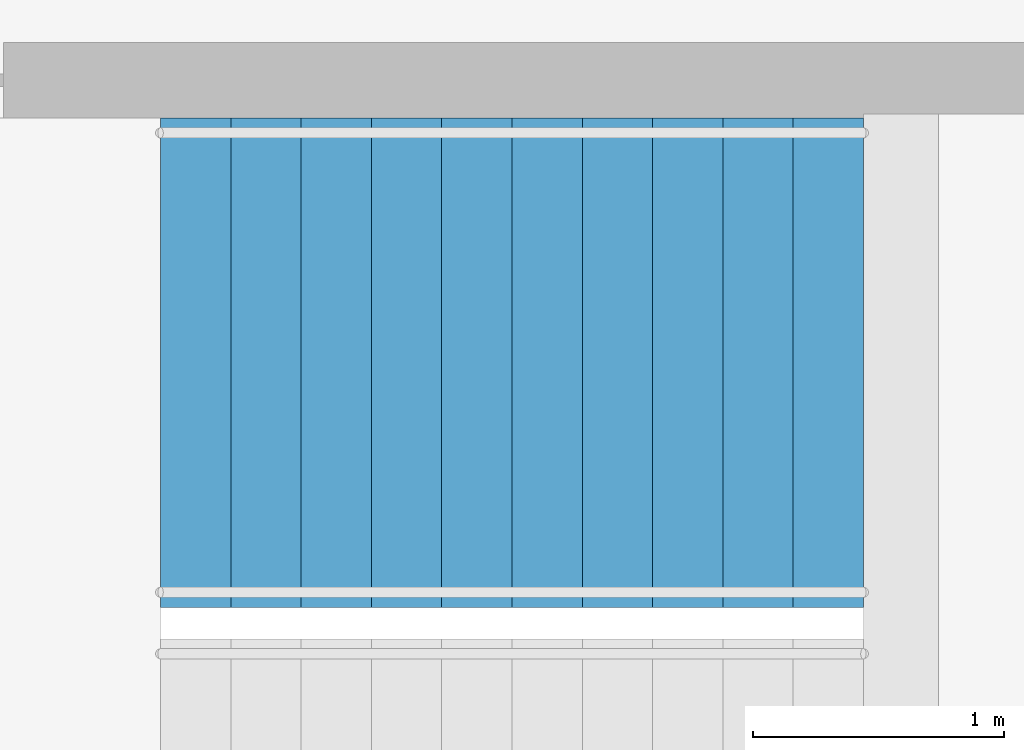
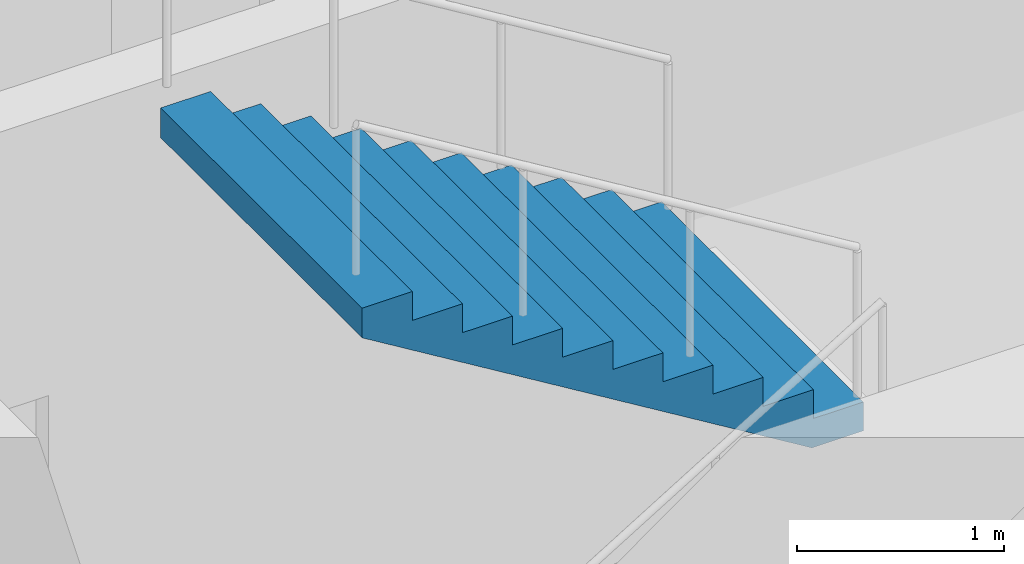
# One storey, part 19 of 22: 1 stair flight, 1 element without a shape of its own.
"""IFC4 building model written with IfcOpenShell, lengths in metres."""

from ifc_helpers import new_model, si_unit, direction, frame, origin, place, context, subcontext, project, spatial, triangles, material, type_object, element, aggregate, save


model = new_model("IFC4")

# Units and contexts
model_context = context("Model", 3, precision=1e-05, world=origin(), true_north=direction((0.0, 1.0)))
body_context = subcontext(model_context, "Body", "Model", "MODEL_VIEW")
ifc_project = project(units=[si_unit("LENGTHUNIT", "METRE"), si_unit("AREAUNIT", "SQUARE_METRE"), si_unit("VOLUMEUNIT", "CUBIC_METRE"), si_unit("PLANEANGLEUNIT", "RADIAN"), si_unit("MASSUNIT", "GRAM", prefix="KILO")], contexts=[model_context])

# Site, building, storey
site_placement = place(None, origin())
site = spatial("IfcSite", under=ifc_project, at=site_placement, CompositionType="ELEMENT")
building_placement = place(site_placement, origin())
building = spatial("IfcBuilding", under=site, at=building_placement, Name="Orbita Commons", CompositionType="ELEMENT")
storey_placement = place(building_placement, frame((0.0, 0.0, 182.35009765625)))
storey = spatial("IfcBuildingStorey", under=building, at=storey_placement, Name="L45", CompositionType="ELEMENT", Elevation=182.35009765625)

# Stair, stair flight
ifc_material_1 = material(Name="Precast concrete C40/50", Category="concrete")
stair_type = type_object("IfcStairType", Name="Exit stair S1 2 flights 11 risers 170", PredefinedType="HALF_TURN_STAIR", material=ifc_material_1)
stair_placement = place(storey_placement, origin())
stair = element("IfcStair", 1, at=stair_placement, inside=storey, type_object=stair_type, Name="Exit stair S1 L45", PredefinedType="HALF_TURN_STAIR")
ifc_material_2 = material(Name="Precast concrete C40/50", Category="concrete")
stair_flight_type = type_object("IfcStairFlightType", Name="Stair flight 11 risers 170 x 280", PredefinedType="STRAIGHT", material=ifc_material_2)
stair_flight_placement = place(storey_placement, frame((23.25, 29.27490234375, 1.875), z_axis=(0.0, 0.0, 1.0), x_axis=(-1.0, 0.0, 0.0)))
stair_flight = element("IfcStairFlight", 2, at=stair_flight_placement, type_object=stair_flight_type, Name="S1 flight 2", NumberOfRisers=11, NumberOfTreads=10, PredefinedType="STRAIGHT", RiserHeight=0.170454545, TreadLength=0.28, context=body_context, shape_type="Tessellation", body=[
    triangles([(0.0, 0.974976, 0.0), (0.0, 0.974976, 0.021307), (0.0, 0.81248, 0.021307), (0.0, 0.81248, 0.0), (0.0, 0.649984, 0.021307), (0.0, 0.649984, 0.0), (0.0, 0.487488, 0.021307), (0.0, 0.487488, 0.0), (0.0, 0.324992, 0.021307), (0.0, 0.324992, 0.0), (0.0, 0.162496, 0.021307), (0.0, 0.162496, 0.0), (0.0, 0.0, 0.021307), (0.0, 0.0, 0.0), (0.0, -0.162496, 0.021307), (0.0, -0.162496, 0.0), (0.0, -0.324992, 0.021307), (0.0, -0.324992, 0.0), (0.0, -0.487488, 0.021307), (0.0, -0.487488, 0.0), (0.0, -0.649984, 0.021307), (0.0, -0.649984, 0.0), (0.0, -0.81248, 0.021307), (0.0, -0.81248, 0.0), (0.0, -0.974976, 0.021307), (0.0, -0.974976, 0.0), (0.0, 0.974976, 0.042614), (0.0, 0.81248, 0.042614), (0.0, 0.649984, 0.042614), (0.0, 0.487488, 0.042614), (0.0, 0.324992, 0.042614), (0.0, 0.162496, 0.042614), (0.0, 0.0, 0.042614), (0.0, -0.162496, 0.042614), (0.0, -0.324992, 0.042614), (0.0, -0.487488, 0.042614), (0.0, -0.649984, 0.042614), (0.0, -0.81248, 0.042614), (0.0, -0.974976, 0.042614), (0.0, 0.974976, 0.06392), (0.0, 0.81248, 0.06392), (0.0, 0.649984, 0.06392), (0.0, 0.487488, 0.06392), (0.0, 0.324992, 0.06392), (0.0, 0.162496, 0.06392), (0.0, 0.0, 0.06392), (0.0, -0.162496, 0.06392), (0.0, -0.324992, 0.06392), (0.0, -0.487488, 0.06392), (0.0, -0.649984, 0.06392), (0.0, -0.81248, 0.06392), (0.0, -0.974976, 0.06392), (0.0, 0.974976, 0.085227), (0.0, 0.81248, 0.085227), (0.0, 0.649984, 0.085227), (0.0, 0.487488, 0.085227), (0.0, 0.324992, 0.085227), (0.0, 0.162496, 0.085227), (0.0, 0.0, 0.085227), (0.0, -0.162496, 0.085227), (0.0, -0.324992, 0.085227), (0.0, -0.487488, 0.085227), (0.0, -0.649984, 0.085227), (0.0, -0.81248, 0.085227), (0.0, -0.974976, 0.085227), (0.0, 0.974976, 0.106534), (0.0, 0.81248, 0.106534), (0.0, 0.649984, 0.106534), (0.0, 0.487488, 0.106534), (0.0, 0.324992, 0.106534), (0.0, 0.162496, 0.106534), (0.0, 0.0, 0.106534), (0.0, -0.162496, 0.106534), (0.0, -0.324992, 0.106534), (0.0, -0.487488, 0.106534), (0.0, -0.649984, 0.106534), (0.0, -0.81248, 0.106534), (0.0, -0.974976, 0.106534), (0.0, 0.974976, 0.127841), (0.0, 0.81248, 0.127841), (0.0, 0.649984, 0.127841), (0.0, 0.487488, 0.127841), (0.0, 0.324992, 0.127841), (0.0, 0.162496, 0.127841), (0.0, 0.0, 0.127841), (0.0, -0.162496, 0.127841), (0.0, -0.324992, 0.127841), (0.0, -0.487488, 0.127841), (0.0, -0.649984, 0.127841), (0.0, -0.81248, 0.127841), (0.0, -0.974976, 0.127841), (0.0, 0.974976, 0.149148), (0.0, 0.81248, 0.149148), (0.0, 0.649984, 0.149148), (0.0, 0.487488, 0.149148), (0.0, 0.324992, 0.149148), (0.0, 0.162496, 0.149148), (0.0, 0.0, 0.149148), (0.0, -0.162496, 0.149148), (0.0, -0.324992, 0.149148), (0.0, -0.487488, 0.149148), (0.0, -0.649984, 0.149148), (0.0, -0.81248, 0.149148), (0.0, -0.974976, 0.149148), (0.0, 0.974976, 0.170455), (0.0, 0.81248, 0.170455), (0.0, 0.649984, 0.170455), (0.0, 0.487488, 0.170455), (0.0, 0.324992, 0.170455), (0.0, 0.162496, 0.170455), (0.0, 0.0, 0.170455), (0.0, -0.162496, 0.170455), (0.0, -0.324992, 0.170455), (0.0, -0.487488, 0.170455), (0.0, -0.649984, 0.170455), (0.0, -0.81248, 0.170455), (0.0, -0.974976, 0.170455), (0.28, 0.974976, 0.170455), (0.28, 0.81248, 0.170455), (0.28, 0.649984, 0.170455), (0.28, 0.487488, 0.170455), (0.28, 0.324992, 0.170455), (0.28, 0.162496, 0.170455), (0.28, 0.0, 0.170455), (0.28, -0.162496, 0.170455), (0.28, -0.324992, 0.170455), (0.28, -0.487488, 0.170455), (0.28, -0.649984, 0.170455), (0.28, -0.81248, 0.170455), (0.28, -0.974976, 0.170455), (0.28, 0.974976, 0.340909), (0.28, 0.81248, 0.340909), (0.28, 0.649984, 0.340909), (0.28, 0.487488, 0.340909), (0.28, 0.324992, 0.340909), (0.28, 0.162496, 0.340909), (0.28, 0.0, 0.340909), (0.28, -0.162496, 0.340909), (0.28, -0.324992, 0.340909), (0.28, -0.487488, 0.340909), (0.28, -0.649984, 0.340909), (0.28, -0.81248, 0.340909), (0.28, -0.974976, 0.340909), (0.56, 0.974976, 0.340909), (0.56, 0.81248, 0.340909), (0.56, 0.649984, 0.340909), (0.56, 0.487488, 0.340909), (0.56, 0.324992, 0.340909), (0.56, 0.162496, 0.340909), (0.56, 0.0, 0.340909), (0.56, -0.162496, 0.340909), (0.56, -0.324992, 0.340909), (0.56, -0.487488, 0.340909), (0.56, -0.649984, 0.340909), (0.56, -0.81248, 0.340909), (0.56, -0.974976, 0.340909), (0.56, 0.974976, 0.511364), (0.56, 0.81248, 0.511364), (0.56, 0.649984, 0.511364), (0.56, 0.487488, 0.511364), (0.56, 0.324992, 0.511364), (0.56, 0.162496, 0.511364), (0.56, 0.0, 0.511364), (0.56, -0.162496, 0.511364), (0.56, -0.324992, 0.511364), (0.56, -0.487488, 0.511364), (0.56, -0.649984, 0.511364), (0.56, -0.81248, 0.511364), (0.56, -0.974976, 0.511364), (0.84, 0.974976, 0.511364), (0.84, 0.81248, 0.511364), (0.84, 0.649984, 0.511364), (0.84, 0.487488, 0.511364), (0.84, 0.324992, 0.511364), (0.84, 0.162496, 0.511364), (0.84, 0.0, 0.511364), (0.84, -0.162496, 0.511364), (0.84, -0.324992, 0.511364), (0.84, -0.487488, 0.511364), (0.84, -0.649984, 0.511364), (0.84, -0.81248, 0.511364), (0.84, -0.974976, 0.511364), (0.84, 0.974976, 0.681818), (0.84, 0.81248, 0.681818), (0.84, 0.649984, 0.681818), (0.84, 0.487488, 0.681818), (0.84, 0.324992, 0.681818), (0.84, 0.162496, 0.681818), (0.84, 0.0, 0.681818), (0.84, -0.162496, 0.681818), (0.84, -0.324992, 0.681818), (0.84, -0.487488, 0.681818), (0.84, -0.649984, 0.681818), (0.84, -0.81248, 0.681818), (0.84, -0.974976, 0.681818), (1.12, 0.974976, 0.681818), (1.12, 0.81248, 0.681818), (1.12, 0.649984, 0.681818), (1.12, 0.487488, 0.681818), (1.12, 0.324992, 0.681818), (1.12, 0.162496, 0.681818), (1.12, 0.0, 0.681818), (1.12, -0.162496, 0.681818), (1.12, -0.324992, 0.681818), (1.12, -0.487488, 0.681818), (1.12, -0.649984, 0.681818), (1.12, -0.81248, 0.681818), (1.12, -0.974976, 0.681818), (1.12, 0.974976, 0.852273), (1.12, 0.81248, 0.852273), (1.12, 0.649984, 0.852273), (1.12, 0.487488, 0.852273), (1.12, 0.324992, 0.852273), (1.12, 0.162496, 0.852273), (1.12, 0.0, 0.852273), (1.12, -0.162496, 0.852273), (1.12, -0.324992, 0.852273), (1.12, -0.487488, 0.852273), (1.12, -0.649984, 0.852273), (1.12, -0.81248, 0.852273), (1.12, -0.974976, 0.852273), (1.4, 0.974976, 0.852273), (1.4, 0.81248, 0.852273), (1.4, 0.649984, 0.852273), (1.4, 0.487488, 0.852273), (1.4, 0.324992, 0.852273), (1.4, 0.162496, 0.852273), (1.4, 0.0, 0.852273), (1.4, -0.162496, 0.852273), (1.4, -0.324992, 0.852273), (1.4, -0.487488, 0.852273), (1.4, -0.649984, 0.852273), (1.4, -0.81248, 0.852273), (1.4, -0.974976, 0.852273), (1.4, 0.974976, 1.022727), (1.4, 0.81248, 1.022727), (1.4, 0.649984, 1.022727), (1.4, 0.487488, 1.022727), (1.4, 0.324992, 1.022727), (1.4, 0.162496, 1.022727), (1.4, 0.0, 1.022727), (1.4, -0.162496, 1.022727), (1.4, -0.324992, 1.022727), (1.4, -0.487488, 1.022727), (1.4, -0.649984, 1.022727), (1.4, -0.81248, 1.022727), (1.4, -0.974976, 1.022727), (1.68, 0.974976, 1.022727), (1.68, 0.81248, 1.022727), (1.68, 0.649984, 1.022727), (1.68, 0.487488, 1.022727), (1.68, 0.324992, 1.022727), (1.68, 0.162496, 1.022727), (1.68, 0.0, 1.022727), (1.68, -0.162496, 1.022727), (1.68, -0.324992, 1.022727), (1.68, -0.487488, 1.022727), (1.68, -0.649984, 1.022727), (1.68, -0.81248, 1.022727), (1.68, -0.974976, 1.022727), (1.68, 0.974976, 1.193182), (1.68, 0.81248, 1.193182), (1.68, 0.649984, 1.193182), (1.68, 0.487488, 1.193182), (1.68, 0.324992, 1.193182), (1.68, 0.162496, 1.193182), (1.68, 0.0, 1.193182), (1.68, -0.162496, 1.193182), (1.68, -0.324992, 1.193182), (1.68, -0.487488, 1.193182), (1.68, -0.649984, 1.193182), (1.68, -0.81248, 1.193182), (1.68, -0.974976, 1.193182), (1.96, 0.974976, 1.193182), (1.96, 0.81248, 1.193182), (1.96, 0.649984, 1.193182), (1.96, 0.487488, 1.193182), (1.96, 0.324992, 1.193182), (1.96, 0.162496, 1.193182), (1.96, 0.0, 1.193182), (1.96, -0.162496, 1.193182), (1.96, -0.324992, 1.193182), (1.96, -0.487488, 1.193182), (1.96, -0.649984, 1.193182), (1.96, -0.81248, 1.193182), (1.96, -0.974976, 1.193182), (1.96, 0.974976, 1.363636), (1.96, 0.81248, 1.363636), (1.96, 0.649984, 1.363636), (1.96, 0.487488, 1.363636), (1.96, 0.324992, 1.363636), (1.96, 0.162496, 1.363636), (1.96, 0.0, 1.363636), (1.96, -0.162496, 1.363636), (1.96, -0.324992, 1.363636), (1.96, -0.487488, 1.363636), (1.96, -0.649984, 1.363636), (1.96, -0.81248, 1.363636), (1.96, -0.974976, 1.363636), (2.24, 0.974976, 1.363636), (2.24, 0.81248, 1.363636), (2.24, 0.649984, 1.363636), (2.24, 0.487488, 1.363636), (2.24, 0.324992, 1.363636), (2.24, 0.162496, 1.363636), (2.24, 0.0, 1.363636), (2.24, -0.162496, 1.363636), (2.24, -0.324992, 1.363636), (2.24, -0.487488, 1.363636), (2.24, -0.649984, 1.363636), (2.24, -0.81248, 1.363636), (2.24, -0.974976, 1.363636), (2.24, 0.974976, 1.534091), (2.24, 0.81248, 1.534091), (2.24, 0.649984, 1.534091), (2.24, 0.487488, 1.534091), (2.24, 0.324992, 1.534091), (2.24, 0.162496, 1.534091), (2.24, 0.0, 1.534091), (2.24, -0.162496, 1.534091), (2.24, -0.324992, 1.534091), (2.24, -0.487488, 1.534091), (2.24, -0.649984, 1.534091), (2.24, -0.81248, 1.534091), (2.24, -0.974976, 1.534091), (2.52, 0.974976, 1.534091), (2.52, 0.81248, 1.534091), (2.52, 0.649984, 1.534091), (2.52, 0.487488, 1.534091), (2.52, 0.324992, 1.534091), (2.52, 0.162496, 1.534091), (2.52, 0.0, 1.534091), (2.52, -0.162496, 1.534091), (2.52, -0.324992, 1.534091), (2.52, -0.487488, 1.534091), (2.52, -0.649984, 1.534091), (2.52, -0.81248, 1.534091), (2.52, -0.974976, 1.534091), (2.52, 0.974976, 1.704545), (2.52, 0.81248, 1.704545), (2.52, 0.649984, 1.704545), (2.52, 0.487488, 1.704545), (2.52, 0.324992, 1.704545), (2.52, 0.162496, 1.704545), (2.52, 0.0, 1.704545), (2.52, -0.162496, 1.704545), (2.52, -0.324992, 1.704545), (2.52, -0.487488, 1.704545), (2.52, -0.649984, 1.704545), (2.52, -0.81248, 1.704545), (2.52, -0.974976, 1.704545), (2.8, 0.974976, 1.704545), (2.8, 0.81248, 1.704545), (2.8, 0.649984, 1.704545), (2.8, 0.487488, 1.704545), (2.8, 0.324992, 1.704545), (2.8, 0.162496, 1.704545), (2.8, 0.0, 1.704545), (2.8, -0.162496, 1.704545), (2.8, -0.324992, 1.704545), (2.8, -0.487488, 1.704545), (2.8, -0.649984, 1.704545), (2.8, -0.81248, 1.704545), (2.8, -0.974976, 1.704545), (2.8, 0.974976, 1.682609), (2.8, 0.81248, 1.682609), (2.8, 0.649984, 1.682609), (2.8, 0.487488, 1.682609), (2.8, 0.324992, 1.682609), (2.8, 0.162496, 1.682609), (2.8, 0.0, 1.682609), (2.8, -0.162496, 1.682609), (2.8, -0.324992, 1.682609), (2.8, -0.487488, 1.682609), (2.8, -0.649984, 1.682609), (2.8, -0.81248, 1.682609), (2.8, -0.974976, 1.682609), (2.8, 0.974976, 1.660672), (2.8, 0.81248, 1.660672), (2.8, 0.649984, 1.660672), (2.8, 0.487488, 1.660672), (2.8, 0.324992, 1.660672), (2.8, 0.162496, 1.660672), (2.8, 0.0, 1.660672), (2.8, -0.162496, 1.660672), (2.8, -0.324992, 1.660672), (2.8, -0.487488, 1.660672), (2.8, -0.649984, 1.660672), (2.8, -0.81248, 1.660672), (2.8, -0.974976, 1.660672), (2.8, 0.974976, 1.638735), (2.8, 0.81248, 1.638735), (2.8, 0.649984, 1.638735), (2.8, 0.487488, 1.638735), (2.8, 0.324992, 1.638735), (2.8, 0.162496, 1.638735), (2.8, 0.0, 1.638735), (2.8, -0.162496, 1.638735), (2.8, -0.324992, 1.638735), (2.8, -0.487488, 1.638735), (2.8, -0.649984, 1.638735), (2.8, -0.81248, 1.638735), (2.8, -0.974976, 1.638735), (2.8, 0.974976, 1.616798), (2.8, 0.81248, 1.616798), (2.8, 0.649984, 1.616798), (2.8, 0.487488, 1.616798), (2.8, 0.324992, 1.616798), (2.8, 0.162496, 1.616798), (2.8, 0.0, 1.616798), (2.8, -0.162496, 1.616798), (2.8, -0.324992, 1.616798), (2.8, -0.487488, 1.616798), (2.8, -0.649984, 1.616798), (2.8, -0.81248, 1.616798), (2.8, -0.974976, 1.616798), (2.8, 0.974976, 1.594861), (2.8, 0.81248, 1.594861), (2.8, 0.649984, 1.594861), (2.8, 0.487488, 1.594861), (2.8, 0.324992, 1.594861), (2.8, 0.162496, 1.594861), (2.8, 0.0, 1.594861), (2.8, -0.162496, 1.594861), (2.8, -0.324992, 1.594861), (2.8, -0.487488, 1.594861), (2.8, -0.649984, 1.594861), (2.8, -0.81248, 1.594861), (2.8, -0.974976, 1.594861), (2.8, 0.974976, 1.572925), (2.8, 0.81248, 1.572925), (2.8, 0.649984, 1.572925), (2.8, 0.487488, 1.572925), (2.8, 0.324992, 1.572925), (2.8, 0.162496, 1.572925), (2.8, 0.0, 1.572925), (2.8, -0.162496, 1.572925), (2.8, -0.324992, 1.572925), (2.8, -0.487488, 1.572925), (2.8, -0.649984, 1.572925), (2.8, -0.81248, 1.572925), (2.8, -0.974976, 1.572925), (2.8, 0.974976, 1.550988), (2.8, 0.81248, 1.550988), (2.8, 0.649984, 1.550988), (2.8, 0.487488, 1.550988), (2.8, 0.324992, 1.550988), (2.8, 0.162496, 1.550988), (2.8, 0.0, 1.550988), (2.8, -0.162496, 1.550988), (2.8, -0.324992, 1.550988), (2.8, -0.487488, 1.550988), (2.8, -0.649984, 1.550988), (2.8, -0.81248, 1.550988), (2.8, -0.974976, 1.550988), (2.8, 0.974976, 1.529051), (2.8, 0.81248, 1.529051), (2.8, 0.649984, 1.529051), (2.8, 0.487488, 1.529051), (2.8, 0.324992, 1.529051), (2.8, 0.162496, 1.529051), (2.8, 0.0, 1.529051), (2.8, -0.162496, 1.529051), (2.8, -0.324992, 1.529051), (2.8, -0.487488, 1.529051), (2.8, -0.649984, 1.529051), (2.8, -0.81248, 1.529051), (2.8, -0.974976, 1.529051), (0.288279, 0.974976, 0.0), (0.288279, 0.81248, 0.0), (0.288279, 0.649984, 0.0), (0.288279, 0.487488, 0.0), (0.288279, 0.324992, 0.0), (0.288279, 0.162496, 0.0), (0.288279, 0.0, 0.0), (0.288279, -0.162496, 0.0), (0.288279, -0.324992, 0.0), (0.288279, -0.487488, 0.0), (0.288279, -0.649984, 0.0), (0.288279, -0.81248, 0.0), (0.288279, -0.974976, 0.0)], [[3, 2, 1], [4, 3, 1], [5, 3, 4], [6, 5, 4], [7, 5, 6], [8, 7, 6], [9, 7, 8], [10, 9, 8], [11, 9, 10], [12, 11, 10], [13, 11, 12], [14, 13, 12], [15, 13, 14], [16, 15, 14], [17, 15, 16], [18, 17, 16], [19, 17, 18], [20, 19, 18], [21, 19, 20], [22, 21, 20], [23, 21, 22], [24, 23, 22], [25, 23, 24], [26, 25, 24], [28, 27, 2], [3, 28, 2], [29, 28, 3], [5, 29, 3], [30, 29, 5], [7, 30, 5], [31, 30, 7], [9, 31, 7], [32, 31, 9], [11, 32, 9], [33, 32, 11], [13, 33, 11], [34, 33, 13], [15, 34, 13], [35, 34, 15], [17, 35, 15], [36, 35, 17], [19, 36, 17], [37, 36, 19], [21, 37, 19], [38, 37, 21], [23, 38, 21], [39, 38, 23], [25, 39, 23], [41, 40, 27], [28, 41, 27], [42, 41, 28], [29, 42, 28], [43, 42, 29], [30, 43, 29], [44, 43, 30], [31, 44, 30], [45, 44, 31], [32, 45, 31], [46, 45, 32], [33, 46, 32], [47, 46, 33], [34, 47, 33], [48, 47, 34], [35, 48, 34], [49, 48, 35], [36, 49, 35], [50, 49, 36], [37, 50, 36], [51, 50, 37], [38, 51, 37], [52, 51, 38], [39, 52, 38], [54, 53, 40], [41, 54, 40], [55, 54, 41], [42, 55, 41], [56, 55, 42], [43, 56, 42], [57, 56, 43], [44, 57, 43], [58, 57, 44], [45, 58, 44], [59, 58, 45], [46, 59, 45], [60, 59, 46], [47, 60, 46], [61, 60, 47], [48, 61, 47], [62, 61, 48], [49, 62, 48], [63, 62, 49], [50, 63, 49], [64, 63, 50], [51, 64, 50], [65, 64, 51], [52, 65, 51], [67, 66, 53], [54, 67, 53], [68, 67, 54], [55, 68, 54], [69, 68, 55], [56, 69, 55], [70, 69, 56], [57, 70, 56], [71, 70, 57], [58, 71, 57], [72, 71, 58], [59, 72, 58], [73, 72, 59], [60, 73, 59], [74, 73, 60], [61, 74, 60], [75, 74, 61], [62, 75, 61], [76, 75, 62], [63, 76, 62], [77, 76, 63], [64, 77, 63], [78, 77, 64], [65, 78, 64], [80, 79, 66], [67, 80, 66], [81, 80, 67], [68, 81, 67], [82, 81, 68], [69, 82, 68], [83, 82, 69], [70, 83, 69], [84, 83, 70], [71, 84, 70], [85, 84, 71], [72, 85, 71], [86, 85, 72], [73, 86, 72], [87, 86, 73], [74, 87, 73], [88, 87, 74], [75, 88, 74], [89, 88, 75], [76, 89, 75], [90, 89, 76], [77, 90, 76], [91, 90, 77], [78, 91, 77], [93, 92, 79], [80, 93, 79], [94, 93, 80], [81, 94, 80], [95, 94, 81], [82, 95, 81], [96, 95, 82], [83, 96, 82], [97, 96, 83], [84, 97, 83], [98, 97, 84], [85, 98, 84], [99, 98, 85], [86, 99, 85], [100, 99, 86], [87, 100, 86], [101, 100, 87], [88, 101, 87], [102, 101, 88], [89, 102, 88], [103, 102, 89], [90, 103, 89], [104, 103, 90], [91, 104, 90], [106, 105, 92], [93, 106, 92], [107, 106, 93], [94, 107, 93], [108, 107, 94], [95, 108, 94], [109, 108, 95], [96, 109, 95], [110, 109, 96], [97, 110, 96], [111, 110, 97], [98, 111, 97], [112, 111, 98], [99, 112, 98], [113, 112, 99], [100, 113, 99], [114, 113, 100], [101, 114, 100], [115, 114, 101], [102, 115, 101], [116, 115, 102], [103, 116, 102], [117, 116, 103], [104, 117, 103], [119, 118, 105], [106, 119, 105], [120, 119, 106], [107, 120, 106], [121, 120, 107], [108, 121, 107], [122, 121, 108], [109, 122, 108], [123, 122, 109], [110, 123, 109], [124, 123, 110], [111, 124, 110], [125, 124, 111], [112, 125, 111], [126, 125, 112], [113, 126, 112], [127, 126, 113], [114, 127, 113], [128, 127, 114], [115, 128, 114], [129, 128, 115], [116, 129, 115], [130, 129, 116], [117, 130, 116], [132, 131, 118], [119, 132, 118], [133, 132, 119], [120, 133, 119], [134, 133, 120], [121, 134, 120], [135, 134, 121], [122, 135, 121], [136, 135, 122], [123, 136, 122], [137, 136, 123], [124, 137, 123], [138, 137, 124], [125, 138, 124], [139, 138, 125], [126, 139, 125], [140, 139, 126], [127, 140, 126], [141, 140, 127], [128, 141, 127], [142, 141, 128], [129, 142, 128], [143, 142, 129], [130, 143, 129], [145, 144, 131], [132, 145, 131], [146, 145, 132], [133, 146, 132], [147, 146, 133], [134, 147, 133], [148, 147, 134], [135, 148, 134], [149, 148, 135], [136, 149, 135], [150, 149, 136], [137, 150, 136], [151, 150, 137], [138, 151, 137], [152, 151, 138], [139, 152, 138], [153, 152, 139], [140, 153, 139], [154, 153, 140], [141, 154, 140], [155, 154, 141], [142, 155, 141], [156, 155, 142], [143, 156, 142], [158, 157, 144], [145, 158, 144], [159, 158, 145], [146, 159, 145], [160, 159, 146], [147, 160, 146], [161, 160, 147], [148, 161, 147], [162, 161, 148], [149, 162, 148], [163, 162, 149], [150, 163, 149], [164, 163, 150], [151, 164, 150], [165, 164, 151], [152, 165, 151], [166, 165, 152], [153, 166, 152], [167, 166, 153], [154, 167, 153], [168, 167, 154], [155, 168, 154], [169, 168, 155], [156, 169, 155], [171, 170, 157], [158, 171, 157], [172, 171, 158], [159, 172, 158], [173, 172, 159], [160, 173, 159], [174, 173, 160], [161, 174, 160], [175, 174, 161], [162, 175, 161], [176, 175, 162], [163, 176, 162], [177, 176, 163], [164, 177, 163], [178, 177, 164], [165, 178, 164], [179, 178, 165], [166, 179, 165], [180, 179, 166], [167, 180, 166], [181, 180, 167], [168, 181, 167], [182, 181, 168], [169, 182, 168], [184, 183, 170], [171, 184, 170], [185, 184, 171], [172, 185, 171], [186, 185, 172], [173, 186, 172], [187, 186, 173], [174, 187, 173], [188, 187, 174], [175, 188, 174], [189, 188, 175], [176, 189, 175], [190, 189, 176], [177, 190, 176], [191, 190, 177], [178, 191, 177], [192, 191, 178], [179, 192, 178], [193, 192, 179], [180, 193, 179], [194, 193, 180], [181, 194, 180], [195, 194, 181], [182, 195, 181], [197, 196, 183], [184, 197, 183], [198, 197, 184], [185, 198, 184], [199, 198, 185], [186, 199, 185], [200, 199, 186], [187, 200, 186], [201, 200, 187], [188, 201, 187], [202, 201, 188], [189, 202, 188], [203, 202, 189], [190, 203, 189], [204, 203, 190], [191, 204, 190], [205, 204, 191], [192, 205, 191], [206, 205, 192], [193, 206, 192], [207, 206, 193], [194, 207, 193], [208, 207, 194], [195, 208, 194], [210, 209, 196], [197, 210, 196], [211, 210, 197], [198, 211, 197], [212, 211, 198], [199, 212, 198], [213, 212, 199], [200, 213, 199], [214, 213, 200], [201, 214, 200], [215, 214, 201], [202, 215, 201], [216, 215, 202], [203, 216, 202], [217, 216, 203], [204, 217, 203], [218, 217, 204], [205, 218, 204], [219, 218, 205], [206, 219, 205], [220, 219, 206], [207, 220, 206], [221, 220, 207], [208, 221, 207], [223, 222, 209], [210, 223, 209], [224, 223, 210], [211, 224, 210], [225, 224, 211], [212, 225, 211], [226, 225, 212], [213, 226, 212], [227, 226, 213], [214, 227, 213], [228, 227, 214], [215, 228, 214], [229, 228, 215], [216, 229, 215], [230, 229, 216], [217, 230, 216], [231, 230, 217], [218, 231, 217], [232, 231, 218], [219, 232, 218], [233, 232, 219], [220, 233, 219], [234, 233, 220], [221, 234, 220], [236, 235, 222], [223, 236, 222], [237, 236, 223], [224, 237, 223], [238, 237, 224], [225, 238, 224], [239, 238, 225], [226, 239, 225], [240, 239, 226], [227, 240, 226], [241, 240, 227], [228, 241, 227], [242, 241, 228], [229, 242, 228], [243, 242, 229], [230, 243, 229], [244, 243, 230], [231, 244, 230], [245, 244, 231], [232, 245, 231], [246, 245, 232], [233, 246, 232], [247, 246, 233], [234, 247, 233], [249, 248, 235], [236, 249, 235], [250, 249, 236], [237, 250, 236], [251, 250, 237], [238, 251, 237], [252, 251, 238], [239, 252, 238], [253, 252, 239], [240, 253, 239], [254, 253, 240], [241, 254, 240], [255, 254, 241], [242, 255, 241], [256, 255, 242], [243, 256, 242], [257, 256, 243], [244, 257, 243], [258, 257, 244], [245, 258, 244], [259, 258, 245], [246, 259, 245], [260, 259, 246], [247, 260, 246], [262, 261, 248], [249, 262, 248], [263, 262, 249], [250, 263, 249], [264, 263, 250], [251, 264, 250], [265, 264, 251], [252, 265, 251], [266, 265, 252], [253, 266, 252], [267, 266, 253], [254, 267, 253], [268, 267, 254], [255, 268, 254], [269, 268, 255], [256, 269, 255], [270, 269, 256], [257, 270, 256], [271, 270, 257], [258, 271, 257], [272, 271, 258], [259, 272, 258], [273, 272, 259], [260, 273, 259], [275, 274, 261], [262, 275, 261], [276, 275, 262], [263, 276, 262], [277, 276, 263], [264, 277, 263], [278, 277, 264], [265, 278, 264], [279, 278, 265], [266, 279, 265], [280, 279, 266], [267, 280, 266], [281, 280, 267], [268, 281, 267], [282, 281, 268], [269, 282, 268], [283, 282, 269], [270, 283, 269], [284, 283, 270], [271, 284, 270], [285, 284, 271], [272, 285, 271], [286, 285, 272], [273, 286, 272], [288, 287, 274], [275, 288, 274], [289, 288, 275], [276, 289, 275], [290, 289, 276], [277, 290, 276], [291, 290, 277], [278, 291, 277], [292, 291, 278], [279, 292, 278], [293, 292, 279], [280, 293, 279], [294, 293, 280], [281, 294, 280], [295, 294, 281], [282, 295, 281], [296, 295, 282], [283, 296, 282], [297, 296, 283], [284, 297, 283], [298, 297, 284], [285, 298, 284], [299, 298, 285], [286, 299, 285], [301, 300, 287], [288, 301, 287], [302, 301, 288], [289, 302, 288], [303, 302, 289], [290, 303, 289], [304, 303, 290], [291, 304, 290], [305, 304, 291], [292, 305, 291], [306, 305, 292], [293, 306, 292], [307, 306, 293], [294, 307, 293], [308, 307, 294], [295, 308, 294], [309, 308, 295], [296, 309, 295], [310, 309, 296], [297, 310, 296], [311, 310, 297], [298, 311, 297], [312, 311, 298], [299, 312, 298], [314, 313, 300], [301, 314, 300], [315, 314, 301], [302, 315, 301], [316, 315, 302], [303, 316, 302], [317, 316, 303], [304, 317, 303], [318, 317, 304], [305, 318, 304], [319, 318, 305], [306, 319, 305], [320, 319, 306], [307, 320, 306], [321, 320, 307], [308, 321, 307], [322, 321, 308], [309, 322, 308], [323, 322, 309], [310, 323, 309], [324, 323, 310], [311, 324, 310], [325, 324, 311], [312, 325, 311], [327, 326, 313], [314, 327, 313], [328, 327, 314], [315, 328, 314], [329, 328, 315], [316, 329, 315], [330, 329, 316], [317, 330, 316], [331, 330, 317], [318, 331, 317], [332, 331, 318], [319, 332, 318], [333, 332, 319], [320, 333, 319], [334, 333, 320], [321, 334, 320], [335, 334, 321], [322, 335, 321], [336, 335, 322], [323, 336, 322], [337, 336, 323], [324, 337, 323], [338, 337, 324], [325, 338, 324], [340, 339, 326], [327, 340, 326], [341, 340, 327], [328, 341, 327], [342, 341, 328], [329, 342, 328], [343, 342, 329], [330, 343, 329], [344, 343, 330], [331, 344, 330], [345, 344, 331], [332, 345, 331], [346, 345, 332], [333, 346, 332], [347, 346, 333], [334, 347, 333], [348, 347, 334], [335, 348, 334], [349, 348, 335], [336, 349, 335], [350, 349, 336], [337, 350, 336], [351, 350, 337], [338, 351, 337], [353, 352, 339], [340, 353, 339], [354, 353, 340], [341, 354, 340], [355, 354, 341], [342, 355, 341], [356, 355, 342], [343, 356, 342], [357, 356, 343], [344, 357, 343], [358, 357, 344], [345, 358, 344], [359, 358, 345], [346, 359, 345], [360, 359, 346], [347, 360, 346], [361, 360, 347], [348, 361, 347], [362, 361, 348], [349, 362, 348], [363, 362, 349], [350, 363, 349], [364, 363, 350], [351, 364, 350], [366, 365, 352], [353, 366, 352], [367, 366, 353], [354, 367, 353], [368, 367, 354], [355, 368, 354], [369, 368, 355], [356, 369, 355], [370, 369, 356], [357, 370, 356], [371, 370, 357], [358, 371, 357], [372, 371, 358], [359, 372, 358], [373, 372, 359], [360, 373, 359], [374, 373, 360], [361, 374, 360], [375, 374, 361], [362, 375, 361], [376, 375, 362], [363, 376, 362], [377, 376, 363], [364, 377, 363], [379, 378, 365], [366, 379, 365], [380, 379, 366], [367, 380, 366], [381, 380, 367], [368, 381, 367], [382, 381, 368], [369, 382, 368], [383, 382, 369], [370, 383, 369], [384, 383, 370], [371, 384, 370], [385, 384, 371], [372, 385, 371], [386, 385, 372], [373, 386, 372], [387, 386, 373], [374, 387, 373], [388, 387, 374], [375, 388, 374], [389, 388, 375], [376, 389, 375], [390, 389, 376], [377, 390, 376], [392, 391, 378], [379, 392, 378], [393, 392, 379], [380, 393, 379], [394, 393, 380], [381, 394, 380], [395, 394, 381], [382, 395, 381], [396, 395, 382], [383, 396, 382], [397, 396, 383], [384, 397, 383], [398, 397, 384], [385, 398, 384], [399, 398, 385], [386, 399, 385], [400, 399, 386], [387, 400, 386], [401, 400, 387], [388, 401, 387], [402, 401, 388], [389, 402, 388], [403, 402, 389], [390, 403, 389], [405, 404, 391], [392, 405, 391], [406, 405, 392], [393, 406, 392], [407, 406, 393], [394, 407, 393], [408, 407, 394], [395, 408, 394], [409, 408, 395], [396, 409, 395], [410, 409, 396], [397, 410, 396], [411, 410, 397], [398, 411, 397], [412, 411, 398], [399, 412, 398], [413, 412, 399], [400, 413, 399], [414, 413, 400], [401, 414, 400], [415, 414, 401], [402, 415, 401], [416, 415, 402], [403, 416, 402], [418, 417, 404], [405, 418, 404], [419, 418, 405], [406, 419, 405], [420, 419, 406], [407, 420, 406], [421, 420, 407], [408, 421, 407], [422, 421, 408], [409, 422, 408], [423, 422, 409], [410, 423, 409], [424, 423, 410], [411, 424, 410], [425, 424, 411], [412, 425, 411], [426, 425, 412], [413, 426, 412], [427, 426, 413], [414, 427, 413], [428, 427, 414], [415, 428, 414], [429, 428, 415], [416, 429, 415], [431, 430, 417], [418, 431, 417], [432, 431, 418], [419, 432, 418], [433, 432, 419], [420, 433, 419], [434, 433, 420], [421, 434, 420], [435, 434, 421], [422, 435, 421], [436, 435, 422], [423, 436, 422], [437, 436, 423], [424, 437, 423], [438, 437, 424], [425, 438, 424], [439, 438, 425], [426, 439, 425], [440, 439, 426], [427, 440, 426], [441, 440, 427], [428, 441, 427], [442, 441, 428], [429, 442, 428], [444, 443, 430], [431, 444, 430], [445, 444, 431], [432, 445, 431], [446, 445, 432], [433, 446, 432], [447, 446, 433], [434, 447, 433], [448, 447, 434], [435, 448, 434], [449, 448, 435], [436, 449, 435], [450, 449, 436], [437, 450, 436], [451, 450, 437], [438, 451, 437], [452, 451, 438], [439, 452, 438], [453, 452, 439], [440, 453, 439], [454, 453, 440], [441, 454, 440], [455, 454, 441], [442, 455, 441], [457, 456, 443], [444, 457, 443], [458, 457, 444], [445, 458, 444], [459, 458, 445], [446, 459, 445], [460, 459, 446], [447, 460, 446], [461, 460, 447], [448, 461, 447], [462, 461, 448], [449, 462, 448], [463, 462, 449], [450, 463, 449], [464, 463, 450], [451, 464, 450], [465, 464, 451], [452, 465, 451], [466, 465, 452], [453, 466, 452], [467, 466, 453], [454, 467, 453], [468, 467, 454], [455, 468, 454], [470, 469, 456], [457, 470, 456], [471, 470, 457], [458, 471, 457], [472, 471, 458], [459, 472, 458], [473, 472, 459], [460, 473, 459], [474, 473, 460], [461, 474, 460], [475, 474, 461], [462, 475, 461], [476, 475, 462], [463, 476, 462], [477, 476, 463], [464, 477, 463], [478, 477, 464], [465, 478, 464], [479, 478, 465], [466, 479, 465], [480, 479, 466], [467, 480, 466], [481, 480, 467], [468, 481, 467], [4, 1, 469], [470, 4, 469], [6, 4, 470], [471, 6, 470], [8, 6, 471], [472, 8, 471], [10, 8, 472], [473, 10, 472], [12, 10, 473], [474, 12, 473], [14, 12, 474], [475, 14, 474], [16, 14, 475], [476, 16, 475], [18, 16, 476], [477, 18, 476], [20, 18, 477], [478, 20, 477], [22, 20, 478], [479, 22, 478], [24, 22, 479], [480, 24, 479], [26, 24, 480], [481, 26, 480], [456, 469, 1], [26, 481, 468], [443, 456, 1], [26, 468, 455], [430, 443, 1], [26, 455, 442], [417, 430, 1], [26, 442, 429], [404, 417, 1], [26, 429, 416], [391, 404, 1], [26, 416, 403], [378, 391, 1], [26, 403, 390], [365, 378, 1], [26, 390, 377], [339, 352, 365], [377, 364, 351], [326, 339, 365], [377, 351, 338], [300, 313, 326], [338, 325, 312], [300, 326, 365], [377, 338, 312], [274, 287, 300], [312, 299, 286], [274, 300, 365], [377, 312, 286], [248, 261, 274], [286, 273, 260], [248, 274, 365], [377, 286, 260], [222, 235, 248], [260, 247, 234], [222, 248, 365], [377, 260, 234], [196, 209, 222], [234, 221, 208], [196, 222, 365], [377, 234, 208], [170, 183, 196], [208, 195, 182], [170, 196, 365], [377, 208, 182], [144, 157, 170], [182, 169, 156], [144, 170, 365], [377, 182, 156], [118, 131, 144], [156, 143, 130], [118, 144, 365], [377, 156, 130], [118, 365, 1], [26, 377, 130], [92, 105, 118], [130, 117, 104], [79, 92, 118], [130, 104, 91], [66, 79, 118], [130, 91, 78], [53, 66, 118], [130, 78, 65], [40, 53, 118], [130, 65, 52], [27, 40, 118], [130, 52, 39], [2, 27, 118], [130, 39, 25], [1, 2, 118], [130, 25, 26]], closed=True),
])
aggregate(stair, [stair_flight])

save(model, "model.ifc")
